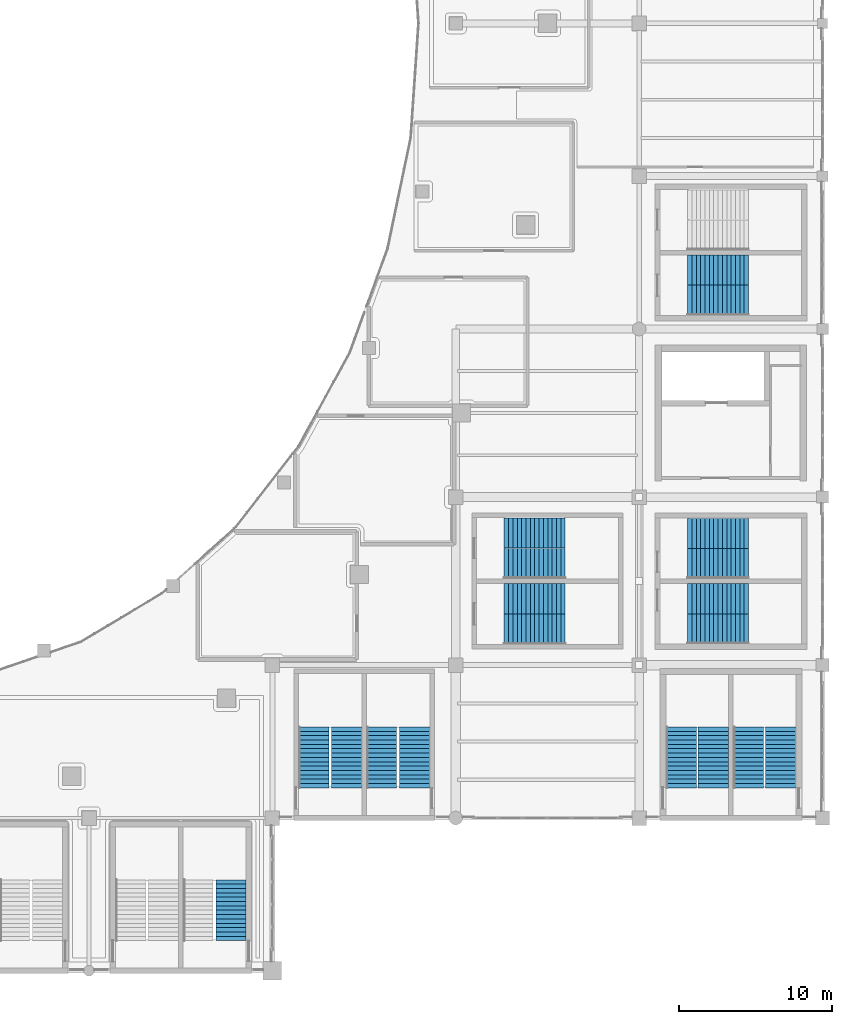
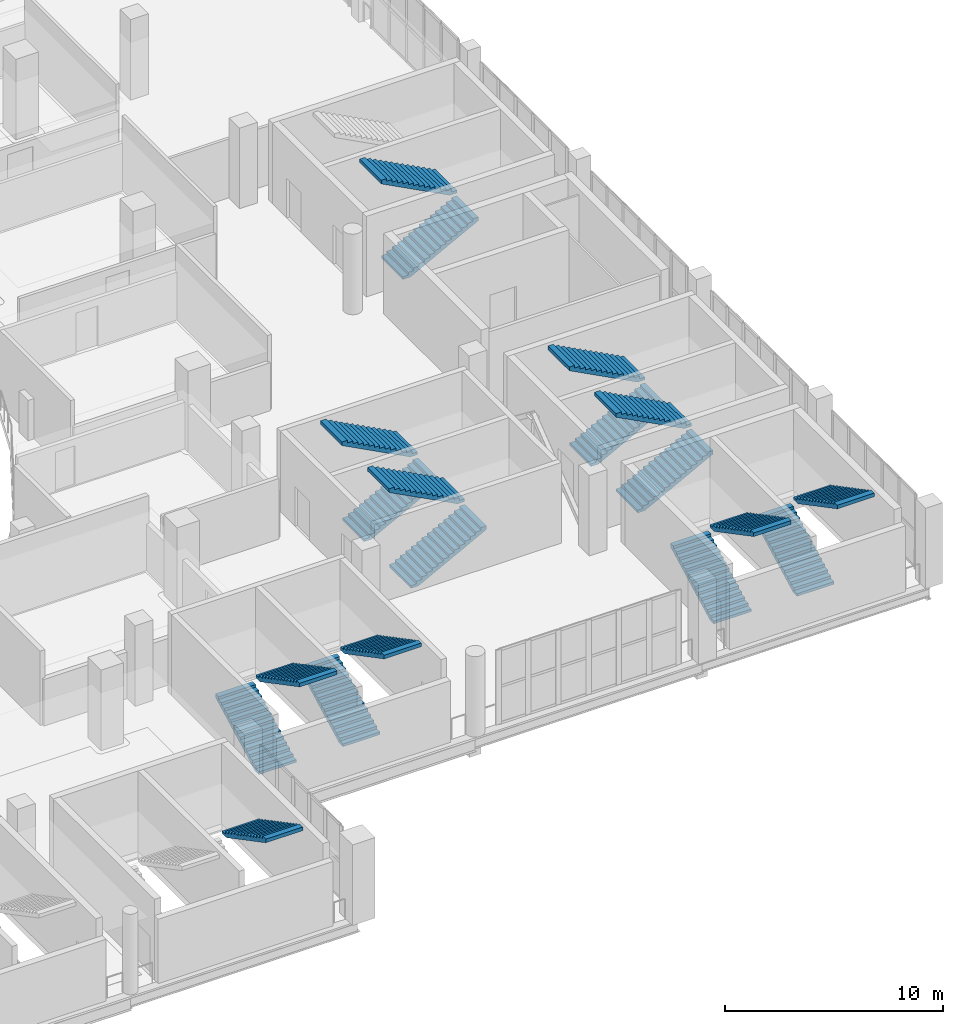
# One storey, part 71 of 90: 19 stair flights, 10 elements without a shape of their own.
"""IFC4 building model written with IfcOpenShell, lengths in metres."""

from ifc_helpers import new_model, si_unit, direction, frame, origin, place, context, subcontext, project, spatial, polyline, outline, extrude, material, layer, layer_set, type_object, element, aggregate, save


model = new_model("IFC4")

# Units and contexts
model_context = context("Model", 3, precision=1e-05, world=origin(), true_north=direction((0.0, 1.0)))
body_context = subcontext(model_context, "Body", "Model", "MODEL_VIEW")
ifc_project = project(units=[si_unit("LENGTHUNIT", "METRE"), si_unit("AREAUNIT", "SQUARE_METRE"), si_unit("VOLUMEUNIT", "CUBIC_METRE"), si_unit("PLANEANGLEUNIT", "RADIAN"), si_unit("MASSUNIT", "GRAM", prefix="KILO")], contexts=[model_context])

# Site, building, storey
site_placement = place(None, origin())
site = spatial("IfcSite", under=ifc_project, at=site_placement, CompositionType="ELEMENT")
building_placement = place(site_placement, origin())
building = spatial("IfcBuilding", under=site, at=building_placement, Name="Brinegate Civic Arena", CompositionType="ELEMENT")
storey_placement = place(building_placement, frame((0.0, 0.0, 14.699951171875)))
storey = spatial("IfcBuildingStorey", under=building, at=storey_placement, Name="L03", CompositionType="ELEMENT", Elevation=14.699951171875)

# Stair, stair flight
ifc_material = material(Name="Concrete C40/50", Category="concrete")
stair_type_1 = type_object("IfcStairType", Name="STAIR-EXIT-3700", PredefinedType="HALF_TURN_STAIR", material=ifc_material)
stair_1_placement = place(storey_placement, origin())
stair_1 = element("IfcStair", 1, at=stair_1_placement, inside=storey, type_object=stair_type_1, Name="Protected Exit Stair ST-04B (L03)", PredefinedType="HALF_TURN_STAIR")
ifc_layer_1 = layer(ifc_material, 0.179931640625, Name="Concrete C40/50")
ifc_layer_set_1 = layer_set([ifc_layer_1], Name="Concrete C40/50")
stair_flight_type_1 = type_object("IfcStairFlightType", Name="FLIGHT-EXIT-3700", PredefinedType="STRAIGHT", material=ifc_layer_set_1)
stair_flight_1_placement = place(storey_placement, frame((129.280029296875, 5.9599609375, 2.25), z_axis=(0.0, 0.0, 1.0), x_axis=(0.0, -1.0, 0.0)))
stair_flight_1 = element("IfcStairFlight", 2, at=stair_flight_1_placement, type_object=stair_flight_type_1, Name="ST-04B flight 2", NumberOfRisers=15, NumberOfTreads=14, PredefinedType="STRAIGHT", RiserHeight=0.15, TreadLength=0.285, context=body_context, shape_type="SweptSolid", body=[
    extrude(outline(polyline([(0.0, 0.0), (0.0, 0.14990234375), (0.284912109375, 0.14990234375), (0.284912109375, 0.300048828125), (0.570068359375, 0.300048828125), (0.570068359375, 0.449951171875), (0.85498046875, 0.449951171875), (0.85498046875, 0.60009765625), (1.139892578125, 0.60009765625), (1.139892578125, 0.75), (1.425048828125, 0.75), (1.425048828125, 0.89990234375), (1.7099609375, 0.89990234375), (1.7099609375, 1.050048828125), (1.9951171875, 1.050048828125), (1.9951171875, 1.199951171875), (2.280029296875, 1.199951171875), (2.280029296875, 1.35009765625), (2.56494140625, 1.35009765625), (2.56494140625, 1.5), (2.85009765625, 1.5), (2.85009765625, 1.64990234375), (3.135009765625, 1.64990234375), (3.135009765625, 1.800048828125), (3.419921875, 1.800048828125), (3.419921875, 1.949951171875), (3.705078125, 1.949951171875), (3.705078125, 2.10009765625), (3.989990234375, 2.10009765625), (3.989990234375, 2.25), (3.989990234375, 1.896728515625), (0.38623046875, 0.0), (0.0, 0.0)])), frame((0.0, 0.97998046875, 0.0), z_axis=(0.0, -1.0, 0.0), x_axis=(1.0, 0.0, 0.0)), (0.0, 0.0, 1.0), 1.9599609375),
])
aggregate(stair_1, [stair_flight_1])

# Stair, stair flights
stair_2_placement = place(storey_placement, origin())
stair_2 = element("IfcStair", 3, at=stair_2_placement, inside=storey, type_object=stair_type_1, Name="Protected Exit Stair ST-06B (L03)", PredefinedType="HALF_TURN_STAIR")
stair_flight_2_placement = place(storey_placement, frame((163.139892578125, 11.969970703125, 0.0), z_axis=(0.0, 0.0, 1.0), x_axis=(0.0, 1.0, 0.0)))
stair_flight_2 = element("IfcStairFlight", 4, at=stair_flight_2_placement, type_object=stair_flight_type_1, Name="ST-06B flight 1", NumberOfRisers=15, NumberOfTreads=14, PredefinedType="STRAIGHT", RiserHeight=0.15, TreadLength=0.285, context=body_context, shape_type="SweptSolid", body=[
    extrude(outline(polyline([(0.0, 0.0), (0.0, 0.14990234375), (0.284912109375, 0.14990234375), (0.284912109375, 0.300048828125), (0.570068359375, 0.300048828125), (0.570068359375, 0.449951171875), (0.85498046875, 0.449951171875), (0.85498046875, 0.60009765625), (1.139892578125, 0.60009765625), (1.139892578125, 0.75), (1.425048828125, 0.75), (1.425048828125, 0.89990234375), (1.7099609375, 0.89990234375), (1.7099609375, 1.050048828125), (1.9951171875, 1.050048828125), (1.9951171875, 1.199951171875), (2.280029296875, 1.199951171875), (2.280029296875, 1.35009765625), (2.56494140625, 1.35009765625), (2.56494140625, 1.5), (2.85009765625, 1.5), (2.85009765625, 1.64990234375), (3.135009765625, 1.64990234375), (3.135009765625, 1.800048828125), (3.419921875, 1.800048828125), (3.419921875, 1.949951171875), (3.705078125, 1.949951171875), (3.705078125, 2.10009765625), (3.989990234375, 2.10009765625), (3.989990234375, 2.25), (3.989990234375, 1.896728515625), (0.38623046875, 0.0), (0.0, 0.0)])), frame((0.0, 0.97998046875, 0.0), z_axis=(0.0, -1.0, 0.0), x_axis=(1.0, 0.0, 0.0)), (0.0, 0.0, 1.0), 1.9599609375),
])
stair_flight_3_placement = place(storey_placement, frame((165.260009765625, 15.9599609375, 2.25), z_axis=(0.0, 0.0, 1.0), x_axis=(0.0, -1.0, 0.0)))
stair_flight_3 = element("IfcStairFlight", 5, at=stair_flight_3_placement, type_object=stair_flight_type_1, Name="ST-06B flight 2", NumberOfRisers=15, NumberOfTreads=14, PredefinedType="STRAIGHT", RiserHeight=0.15, TreadLength=0.285, context=body_context, shape_type="SweptSolid", body=[
    extrude(outline(polyline([(0.0, 0.0), (0.0, 0.14990234375), (0.284912109375, 0.14990234375), (0.284912109375, 0.300048828125), (0.570068359375, 0.300048828125), (0.570068359375, 0.449951171875), (0.85498046875, 0.449951171875), (0.85498046875, 0.60009765625), (1.139892578125, 0.60009765625), (1.139892578125, 0.75), (1.425048828125, 0.75), (1.425048828125, 0.89990234375), (1.7099609375, 0.89990234375), (1.7099609375, 1.050048828125), (1.9951171875, 1.050048828125), (1.9951171875, 1.199951171875), (2.280029296875, 1.199951171875), (2.280029296875, 1.35009765625), (2.56494140625, 1.35009765625), (2.56494140625, 1.5), (2.85009765625, 1.5), (2.85009765625, 1.64990234375), (3.135009765625, 1.64990234375), (3.135009765625, 1.800048828125), (3.419921875, 1.800048828125), (3.419921875, 1.949951171875), (3.705078125, 1.949951171875), (3.705078125, 2.10009765625), (3.989990234375, 2.10009765625), (3.989990234375, 2.25), (3.989990234375, 1.896728515625), (0.38623046875, 0.0), (0.0, 0.0)])), frame((0.0, 0.97998046875, 0.0), z_axis=(0.0, -1.0, 0.0), x_axis=(1.0, 0.0, 0.0)), (0.0, 0.0, 1.0), 1.9599609375),
])
aggregate(stair_2, [stair_flight_2, stair_flight_3])

stair_3_placement = place(storey_placement, origin())
stair_3 = element("IfcStair", 6, at=stair_3_placement, inside=storey, type_object=stair_type_1, Name="Protected Exit Stair ST-14B (L03)", PredefinedType="HALF_TURN_STAIR")
stair_flight_4_placement = place(storey_placement, frame((139.139892578125, 11.969970703125, 0.0), z_axis=(0.0, 0.0, 1.0), x_axis=(0.0, 1.0, 0.0)))
stair_flight_4 = element("IfcStairFlight", 7, at=stair_flight_4_placement, type_object=stair_flight_type_1, Name="ST-14B flight 1", NumberOfRisers=15, NumberOfTreads=14, PredefinedType="STRAIGHT", RiserHeight=0.15, TreadLength=0.285, context=body_context, shape_type="SweptSolid", body=[
    extrude(outline(polyline([(0.0, 0.0), (0.0, 0.14990234375), (0.284912109375, 0.14990234375), (0.284912109375, 0.300048828125), (0.570068359375, 0.300048828125), (0.570068359375, 0.449951171875), (0.85498046875, 0.449951171875), (0.85498046875, 0.60009765625), (1.139892578125, 0.60009765625), (1.139892578125, 0.75), (1.425048828125, 0.75), (1.425048828125, 0.89990234375), (1.7099609375, 0.89990234375), (1.7099609375, 1.050048828125), (1.9951171875, 1.050048828125), (1.9951171875, 1.199951171875), (2.280029296875, 1.199951171875), (2.280029296875, 1.35009765625), (2.56494140625, 1.35009765625), (2.56494140625, 1.5), (2.85009765625, 1.5), (2.85009765625, 1.64990234375), (3.135009765625, 1.64990234375), (3.135009765625, 1.800048828125), (3.419921875, 1.800048828125), (3.419921875, 1.949951171875), (3.705078125, 1.949951171875), (3.705078125, 2.10009765625), (3.989990234375, 2.10009765625), (3.989990234375, 2.25), (3.989990234375, 1.896728515625), (0.38623046875, 0.0), (0.0, 0.0)])), frame((0.0, 0.97998046875, 0.0), z_axis=(0.0, -1.0, 0.0), x_axis=(1.0, 0.0, 0.0)), (0.0, 0.0, 1.0), 1.9599609375),
])
stair_flight_5_placement = place(storey_placement, frame((141.31005859375, 15.9599609375, 2.25), z_axis=(0.0, 0.0, 1.0), x_axis=(0.0, -1.0, 0.0)))
stair_flight_5 = element("IfcStairFlight", 8, at=stair_flight_5_placement, type_object=stair_flight_type_1, Name="ST-14B flight 2", NumberOfRisers=15, NumberOfTreads=14, PredefinedType="STRAIGHT", RiserHeight=0.15, TreadLength=0.285, context=body_context, shape_type="SweptSolid", body=[
    extrude(outline(polyline([(0.0, 0.0), (0.0, 0.14990234375), (0.284912109375, 0.14990234375), (0.284912109375, 0.300048828125), (0.570068359375, 0.300048828125), (0.570068359375, 0.449951171875), (0.85498046875, 0.449951171875), (0.85498046875, 0.60009765625), (1.139892578125, 0.60009765625), (1.139892578125, 0.75), (1.425048828125, 0.75), (1.425048828125, 0.89990234375), (1.7099609375, 0.89990234375), (1.7099609375, 1.050048828125), (1.9951171875, 1.050048828125), (1.9951171875, 1.199951171875), (2.280029296875, 1.199951171875), (2.280029296875, 1.35009765625), (2.56494140625, 1.35009765625), (2.56494140625, 1.5), (2.85009765625, 1.5), (2.85009765625, 1.64990234375), (3.135009765625, 1.64990234375), (3.135009765625, 1.800048828125), (3.419921875, 1.800048828125), (3.419921875, 1.949951171875), (3.705078125, 1.949951171875), (3.705078125, 2.10009765625), (3.989990234375, 2.10009765625), (3.989990234375, 2.25), (3.989990234375, 1.896728515625), (0.38623046875, 0.0), (0.0, 0.0)])), frame((0.0, 0.97998046875, 0.0), z_axis=(0.0, -1.0, 0.0), x_axis=(1.0, 0.0, 0.0)), (0.0, 0.0, 1.0), 1.9599609375),
])
aggregate(stair_3, [stair_flight_4, stair_flight_5])

stair_4_placement = place(storey_placement, origin())
stair_4 = element("IfcStair", 9, at=stair_4_placement, inside=storey, type_object=stair_type_1, Name="Protected Exit Stair ST-17B (L03)", PredefinedType="HALF_TURN_STAIR")
stair_flight_6_placement = place(storey_placement, frame((147.169921875, 26.639892578125, 0.0), z_axis=(0.0, 0.0, 1.0), x_axis=(1.0, 0.0, 0.0)))
stair_flight_6 = element("IfcStairFlight", 10, at=stair_flight_6_placement, type_object=stair_flight_type_1, Name="ST-17B flight 1", NumberOfRisers=15, NumberOfTreads=14, PredefinedType="STRAIGHT", RiserHeight=0.15, TreadLength=0.285, context=body_context, shape_type="SweptSolid", body=[
    extrude(outline(polyline([(0.0, 0.0), (0.0, 0.14990234375), (0.284912109375, 0.14990234375), (0.284912109375, 0.300048828125), (0.570068359375, 0.300048828125), (0.570068359375, 0.449951171875), (0.85498046875, 0.449951171875), (0.85498046875, 0.60009765625), (1.139892578125, 0.60009765625), (1.139892578125, 0.75), (1.425048828125, 0.75), (1.425048828125, 0.89990234375), (1.7099609375, 0.89990234375), (1.7099609375, 1.050048828125), (1.9951171875, 1.050048828125), (1.9951171875, 1.199951171875), (2.280029296875, 1.199951171875), (2.280029296875, 1.35009765625), (2.56494140625, 1.35009765625), (2.56494140625, 1.5), (2.85009765625, 1.5), (2.85009765625, 1.64990234375), (3.135009765625, 1.64990234375), (3.135009765625, 1.800048828125), (3.419921875, 1.800048828125), (3.419921875, 1.949951171875), (3.705078125, 1.949951171875), (3.705078125, 2.10009765625), (3.989990234375, 2.10009765625), (3.989990234375, 2.25), (3.989990234375, 1.896728515625), (0.38623046875, 0.0), (0.0, 0.0)])), frame((0.0, 0.97998046875, 0.0), z_axis=(0.0, -1.0, 0.0), x_axis=(1.0, 0.0, 0.0)), (0.0, 0.0, 1.0), 1.9599609375),
])
stair_flight_7_placement = place(storey_placement, frame((151.159912109375, 28.659912109375, 2.25), z_axis=(0.0, 0.0, 1.0), x_axis=(-1.0, 0.0, 0.0)))
stair_flight_7 = element("IfcStairFlight", 11, at=stair_flight_7_placement, type_object=stair_flight_type_1, Name="ST-17B flight 2", NumberOfRisers=15, NumberOfTreads=14, PredefinedType="STRAIGHT", RiserHeight=0.15, TreadLength=0.285, context=body_context, shape_type="SweptSolid", body=[
    extrude(outline(polyline([(0.0, 0.0), (0.0, 0.14990234375), (0.284912109375, 0.14990234375), (0.284912109375, 0.300048828125), (0.570068359375, 0.300048828125), (0.570068359375, 0.449951171875), (0.85498046875, 0.449951171875), (0.85498046875, 0.60009765625), (1.139892578125, 0.60009765625), (1.139892578125, 0.75), (1.425048828125, 0.75), (1.425048828125, 0.89990234375), (1.7099609375, 0.89990234375), (1.7099609375, 1.050048828125), (1.9951171875, 1.050048828125), (1.9951171875, 1.199951171875), (2.280029296875, 1.199951171875), (2.280029296875, 1.35009765625), (2.56494140625, 1.35009765625), (2.56494140625, 1.5), (2.85009765625, 1.5), (2.85009765625, 1.64990234375), (3.135009765625, 1.64990234375), (3.135009765625, 1.800048828125), (3.419921875, 1.800048828125), (3.419921875, 1.949951171875), (3.705078125, 1.949951171875), (3.705078125, 2.10009765625), (3.989990234375, 2.10009765625), (3.989990234375, 2.25), (3.989990234375, 1.896728515625), (0.38623046875, 0.0), (0.0, 0.0)])), frame((0.0, 0.97998046875, 0.0), z_axis=(0.0, -1.0, 0.0), x_axis=(1.0, 0.0, 0.0)), (0.0, 0.0, 1.0), 1.9599609375),
])
aggregate(stair_4, [stair_flight_6, stair_flight_7])

stair_5_placement = place(storey_placement, origin())
stair_5 = element("IfcStair", 12, at=stair_5_placement, inside=storey, type_object=stair_type_1, Name="Protected Exit Stair ST-19B (L03)", PredefinedType="HALF_TURN_STAIR")
stair_flight_8_placement = place(storey_placement, frame((159.169921875, 26.639892578125, 0.0), z_axis=(0.0, 0.0, 1.0), x_axis=(1.0, 0.0, 0.0)))
stair_flight_8 = element("IfcStairFlight", 13, at=stair_flight_8_placement, type_object=stair_flight_type_1, Name="ST-19B flight 1", NumberOfRisers=15, NumberOfTreads=14, PredefinedType="STRAIGHT", RiserHeight=0.15, TreadLength=0.285, context=body_context, shape_type="SweptSolid", body=[
    extrude(outline(polyline([(0.0, 0.0), (0.0, 0.14990234375), (0.284912109375, 0.14990234375), (0.284912109375, 0.300048828125), (0.570068359375, 0.300048828125), (0.570068359375, 0.449951171875), (0.85498046875, 0.449951171875), (0.85498046875, 0.60009765625), (1.139892578125, 0.60009765625), (1.139892578125, 0.75), (1.425048828125, 0.75), (1.425048828125, 0.89990234375), (1.7099609375, 0.89990234375), (1.7099609375, 1.050048828125), (1.9951171875, 1.050048828125), (1.9951171875, 1.199951171875), (2.280029296875, 1.199951171875), (2.280029296875, 1.35009765625), (2.56494140625, 1.35009765625), (2.56494140625, 1.5), (2.85009765625, 1.5), (2.85009765625, 1.64990234375), (3.135009765625, 1.64990234375), (3.135009765625, 1.800048828125), (3.419921875, 1.800048828125), (3.419921875, 1.949951171875), (3.705078125, 1.949951171875), (3.705078125, 2.10009765625), (3.989990234375, 2.10009765625), (3.989990234375, 2.25), (3.989990234375, 1.896728515625), (0.38623046875, 0.0), (0.0, 0.0)])), frame((0.0, 0.97998046875, 0.0), z_axis=(0.0, -1.0, 0.0), x_axis=(1.0, 0.0, 0.0)), (0.0, 0.0, 1.0), 1.9599609375),
])
stair_flight_9_placement = place(storey_placement, frame((163.159912109375, 28.6298828125, 2.25), z_axis=(0.0, 0.0, 1.0), x_axis=(-1.0, 0.0, 0.0)))
stair_flight_9 = element("IfcStairFlight", 14, at=stair_flight_9_placement, type_object=stair_flight_type_1, Name="ST-19B flight 2", NumberOfRisers=15, NumberOfTreads=14, PredefinedType="STRAIGHT", RiserHeight=0.15, TreadLength=0.285, context=body_context, shape_type="SweptSolid", body=[
    extrude(outline(polyline([(0.0, 0.0), (0.0, 0.14990234375), (0.284912109375, 0.14990234375), (0.284912109375, 0.300048828125), (0.570068359375, 0.300048828125), (0.570068359375, 0.449951171875), (0.85498046875, 0.449951171875), (0.85498046875, 0.60009765625), (1.139892578125, 0.60009765625), (1.139892578125, 0.75), (1.425048828125, 0.75), (1.425048828125, 0.89990234375), (1.7099609375, 0.89990234375), (1.7099609375, 1.050048828125), (1.9951171875, 1.050048828125), (1.9951171875, 1.199951171875), (2.280029296875, 1.199951171875), (2.280029296875, 1.35009765625), (2.56494140625, 1.35009765625), (2.56494140625, 1.5), (2.85009765625, 1.5), (2.85009765625, 1.64990234375), (3.135009765625, 1.64990234375), (3.135009765625, 1.800048828125), (3.419921875, 1.800048828125), (3.419921875, 1.949951171875), (3.705078125, 1.949951171875), (3.705078125, 2.10009765625), (3.989990234375, 2.10009765625), (3.989990234375, 2.25), (3.989990234375, 1.896728515625), (0.38623046875, 0.0), (0.0, 0.0)])), frame((0.0, 0.97998046875, 0.0), z_axis=(0.0, -1.0, 0.0), x_axis=(1.0, 0.0, 0.0)), (0.0, 0.0, 1.0), 1.9599609375),
])
aggregate(stair_5, [stair_flight_8, stair_flight_9])

stair_type_2 = type_object("IfcStairType", Name="STAIR-EXIT-3850", PredefinedType="HALF_TURN_STAIR", material=ifc_material)
stair_6_placement = place(storey_placement, origin())
stair_6 = element("IfcStair", 15, at=stair_6_placement, inside=storey, type_object=stair_type_2, Name="Protected Exit Stair ST-06A (L03)", PredefinedType="HALF_TURN_STAIR")
ifc_layer_2 = layer(ifc_material, 0.179931640625, Name="Concrete C40/50")
ifc_layer_set_2 = layer_set([ifc_layer_2], Name="Concrete C40/50")
stair_flight_type_2 = type_object("IfcStairFlightType", Name="FLIGHT-EXIT-3850", PredefinedType="STRAIGHT", material=ifc_layer_set_2)
stair_flight_10_placement = place(storey_placement, frame((158.75, 11.969970703125, 0.0), z_axis=(0.0, 0.0, 1.0), x_axis=(0.0, 1.0, 0.0)))
stair_flight_10 = element("IfcStairFlight", 16, at=stair_flight_10_placement, type_object=stair_flight_type_2, Name="ST-06A flight 1", NumberOfRisers=15, NumberOfTreads=14, PredefinedType="STRAIGHT", RiserHeight=0.15, TreadLength=0.285, context=body_context, shape_type="SweptSolid", body=[
    extrude(outline(polyline([(0.0, 0.0), (0.0, 0.14990234375), (0.284912109375, 0.14990234375), (0.284912109375, 0.300048828125), (0.570068359375, 0.300048828125), (0.570068359375, 0.449951171875), (0.85498046875, 0.449951171875), (0.85498046875, 0.60009765625), (1.139892578125, 0.60009765625), (1.139892578125, 0.75), (1.425048828125, 0.75), (1.425048828125, 0.89990234375), (1.7099609375, 0.89990234375), (1.7099609375, 1.050048828125), (1.9951171875, 1.050048828125), (1.9951171875, 1.199951171875), (2.280029296875, 1.199951171875), (2.280029296875, 1.35009765625), (2.56494140625, 1.35009765625), (2.56494140625, 1.5), (2.85009765625, 1.5), (2.85009765625, 1.64990234375), (3.135009765625, 1.64990234375), (3.135009765625, 1.800048828125), (3.419921875, 1.800048828125), (3.419921875, 1.949951171875), (3.705078125, 1.949951171875), (3.705078125, 2.10009765625), (3.989990234375, 2.10009765625), (3.989990234375, 2.25), (3.989990234375, 1.896728515625), (0.38623046875, 0.0), (0.0, 0.0)])), frame((0.0, 0.989990234375, 0.0), z_axis=(0.0, -1.0, 0.0), x_axis=(1.0, 0.0, 0.0)), (0.0, 0.0, 1.0), 1.97998046875),
])
stair_flight_11_placement = place(storey_placement, frame((160.85009765625, 15.9599609375, 2.25), z_axis=(0.0, 0.0, 1.0), x_axis=(0.0, -1.0, 0.0)))
stair_flight_11 = element("IfcStairFlight", 17, at=stair_flight_11_placement, type_object=stair_flight_type_2, Name="ST-06A flight 2", NumberOfRisers=15, NumberOfTreads=14, PredefinedType="STRAIGHT", RiserHeight=0.15, TreadLength=0.285, context=body_context, shape_type="SweptSolid", body=[
    extrude(outline(polyline([(0.0, 0.0), (0.0, 0.14990234375), (0.284912109375, 0.14990234375), (0.284912109375, 0.300048828125), (0.570068359375, 0.300048828125), (0.570068359375, 0.449951171875), (0.85498046875, 0.449951171875), (0.85498046875, 0.60009765625), (1.139892578125, 0.60009765625), (1.139892578125, 0.75), (1.425048828125, 0.75), (1.425048828125, 0.89990234375), (1.7099609375, 0.89990234375), (1.7099609375, 1.050048828125), (1.9951171875, 1.050048828125), (1.9951171875, 1.199951171875), (2.280029296875, 1.199951171875), (2.280029296875, 1.35009765625), (2.56494140625, 1.35009765625), (2.56494140625, 1.5), (2.85009765625, 1.5), (2.85009765625, 1.64990234375), (3.135009765625, 1.64990234375), (3.135009765625, 1.800048828125), (3.419921875, 1.800048828125), (3.419921875, 1.949951171875), (3.705078125, 1.949951171875), (3.705078125, 2.10009765625), (3.989990234375, 2.10009765625), (3.989990234375, 2.25), (3.989990234375, 1.896728515625), (0.38623046875, 0.0), (0.0, 0.0)])), frame((0.0, 0.989990234375, 0.0), z_axis=(0.0, -1.0, 0.0), x_axis=(1.0, 0.0, 0.0)), (0.0, 0.0, 1.0), 1.97998046875),
])
aggregate(stair_6, [stair_flight_10, stair_flight_11])

stair_7_placement = place(storey_placement, origin())
stair_7 = element("IfcStair", 18, at=stair_7_placement, inside=storey, type_object=stair_type_2, Name="Protected Exit Stair ST-10A (L03)", PredefinedType="HALF_TURN_STAIR")
stair_flight_12_placement = place(storey_placement, frame((159.169921875, 43.8779296875, 0.0), z_axis=(0.0, 0.0, 1.0), x_axis=(1.0, 0.0, 0.0)))
stair_flight_12 = element("IfcStairFlight", 19, at=stair_flight_12_placement, type_object=stair_flight_type_2, Name="ST-10A flight 1", NumberOfRisers=15, NumberOfTreads=14, PredefinedType="STRAIGHT", RiserHeight=0.15, TreadLength=0.285, context=body_context, shape_type="SweptSolid", body=[
    extrude(outline(polyline([(0.0, 0.0), (0.0, 0.14990234375), (0.284912109375, 0.14990234375), (0.284912109375, 0.300048828125), (0.570068359375, 0.300048828125), (0.570068359375, 0.449951171875), (0.85498046875, 0.449951171875), (0.85498046875, 0.60009765625), (1.139892578125, 0.60009765625), (1.139892578125, 0.75), (1.425048828125, 0.75), (1.425048828125, 0.89990234375), (1.7099609375, 0.89990234375), (1.7099609375, 1.050048828125), (1.9951171875, 1.050048828125), (1.9951171875, 1.199951171875), (2.280029296875, 1.199951171875), (2.280029296875, 1.35009765625), (2.56494140625, 1.35009765625), (2.56494140625, 1.5), (2.85009765625, 1.5), (2.85009765625, 1.64990234375), (3.135009765625, 1.64990234375), (3.135009765625, 1.800048828125), (3.419921875, 1.800048828125), (3.419921875, 1.949951171875), (3.705078125, 1.949951171875), (3.705078125, 2.10009765625), (3.989990234375, 2.10009765625), (3.989990234375, 2.25), (3.989990234375, 1.896728515625), (0.38623046875, 0.0), (0.0, 0.0)])), frame((0.0, 0.987548828125, 0.0), z_axis=(0.0, -1.0, 0.0), x_axis=(1.0, 0.0, 0.0)), (0.0, 0.0, 1.0), 1.97509765625),
])
stair_flight_13_placement = place(storey_placement, frame((163.159912109375, 45.85302734375, 2.25), z_axis=(0.0, 0.0, 1.0), x_axis=(-1.0, 0.0, 0.0)))
stair_flight_13 = element("IfcStairFlight", 20, at=stair_flight_13_placement, type_object=stair_flight_type_2, Name="ST-10A flight 2", NumberOfRisers=15, NumberOfTreads=14, PredefinedType="STRAIGHT", RiserHeight=0.15, TreadLength=0.285, context=body_context, shape_type="SweptSolid", body=[
    extrude(outline(polyline([(0.0, 0.0), (0.0, 0.14990234375), (0.284912109375, 0.14990234375), (0.284912109375, 0.300048828125), (0.570068359375, 0.300048828125), (0.570068359375, 0.449951171875), (0.85498046875, 0.449951171875), (0.85498046875, 0.60009765625), (1.139892578125, 0.60009765625), (1.139892578125, 0.75), (1.425048828125, 0.75), (1.425048828125, 0.89990234375), (1.7099609375, 0.89990234375), (1.7099609375, 1.050048828125), (1.9951171875, 1.050048828125), (1.9951171875, 1.199951171875), (2.280029296875, 1.199951171875), (2.280029296875, 1.35009765625), (2.56494140625, 1.35009765625), (2.56494140625, 1.5), (2.85009765625, 1.5), (2.85009765625, 1.64990234375), (3.135009765625, 1.64990234375), (3.135009765625, 1.800048828125), (3.419921875, 1.800048828125), (3.419921875, 1.949951171875), (3.705078125, 1.949951171875), (3.705078125, 2.10009765625), (3.989990234375, 2.10009765625), (3.989990234375, 2.25), (3.989990234375, 1.896728515625), (0.38623046875, 0.0), (0.0, 0.0)])), frame((0.0, 0.987548828125, 0.0), z_axis=(0.0, -1.0, 0.0), x_axis=(1.0, 0.0, 0.0)), (0.0, 0.0, 1.0), 1.97509765625),
])
aggregate(stair_7, [stair_flight_12, stair_flight_13])

stair_8_placement = place(storey_placement, origin())
stair_8 = element("IfcStair", 21, at=stair_8_placement, inside=storey, type_object=stair_type_2, Name="Protected Exit Stair ST-14A (L03)", PredefinedType="HALF_TURN_STAIR")
stair_flight_14_placement = place(storey_placement, frame((134.699951171875, 11.969970703125, 0.0), z_axis=(0.0, 0.0, 1.0), x_axis=(0.0, 1.0, 0.0)))
stair_flight_14 = element("IfcStairFlight", 22, at=stair_flight_14_placement, type_object=stair_flight_type_2, Name="ST-14A flight 1", NumberOfRisers=15, NumberOfTreads=14, PredefinedType="STRAIGHT", RiserHeight=0.15, TreadLength=0.285, context=body_context, shape_type="SweptSolid", body=[
    extrude(outline(polyline([(0.0, 0.0), (0.0, 0.14990234375), (0.284912109375, 0.14990234375), (0.284912109375, 0.300048828125), (0.570068359375, 0.300048828125), (0.570068359375, 0.449951171875), (0.85498046875, 0.449951171875), (0.85498046875, 0.60009765625), (1.139892578125, 0.60009765625), (1.139892578125, 0.75), (1.425048828125, 0.75), (1.425048828125, 0.89990234375), (1.7099609375, 0.89990234375), (1.7099609375, 1.050048828125), (1.9951171875, 1.050048828125), (1.9951171875, 1.199951171875), (2.280029296875, 1.199951171875), (2.280029296875, 1.35009765625), (2.56494140625, 1.35009765625), (2.56494140625, 1.5), (2.85009765625, 1.5), (2.85009765625, 1.64990234375), (3.135009765625, 1.64990234375), (3.135009765625, 1.800048828125), (3.419921875, 1.800048828125), (3.419921875, 1.949951171875), (3.705078125, 1.949951171875), (3.705078125, 2.10009765625), (3.989990234375, 2.10009765625), (3.989990234375, 2.25), (3.989990234375, 1.896728515625), (0.38623046875, 0.0), (0.0, 0.0)])), frame((0.0, 0.989990234375, 0.0), z_axis=(0.0, -1.0, 0.0), x_axis=(1.0, 0.0, 0.0)), (0.0, 0.0, 1.0), 1.97998046875),
])
stair_flight_15_placement = place(storey_placement, frame((136.85009765625, 15.9599609375, 2.25), z_axis=(0.0, 0.0, 1.0), x_axis=(0.0, -1.0, 0.0)))
stair_flight_15 = element("IfcStairFlight", 23, at=stair_flight_15_placement, type_object=stair_flight_type_2, Name="ST-14A flight 2", NumberOfRisers=15, NumberOfTreads=14, PredefinedType="STRAIGHT", RiserHeight=0.15, TreadLength=0.285, context=body_context, shape_type="SweptSolid", body=[
    extrude(outline(polyline([(0.0, 0.0), (0.0, 0.14990234375), (0.284912109375, 0.14990234375), (0.284912109375, 0.300048828125), (0.570068359375, 0.300048828125), (0.570068359375, 0.449951171875), (0.85498046875, 0.449951171875), (0.85498046875, 0.60009765625), (1.139892578125, 0.60009765625), (1.139892578125, 0.75), (1.425048828125, 0.75), (1.425048828125, 0.89990234375), (1.7099609375, 0.89990234375), (1.7099609375, 1.050048828125), (1.9951171875, 1.050048828125), (1.9951171875, 1.199951171875), (2.280029296875, 1.199951171875), (2.280029296875, 1.35009765625), (2.56494140625, 1.35009765625), (2.56494140625, 1.5), (2.85009765625, 1.5), (2.85009765625, 1.64990234375), (3.135009765625, 1.64990234375), (3.135009765625, 1.800048828125), (3.419921875, 1.800048828125), (3.419921875, 1.949951171875), (3.705078125, 1.949951171875), (3.705078125, 2.10009765625), (3.989990234375, 2.10009765625), (3.989990234375, 2.25), (3.989990234375, 1.896728515625), (0.38623046875, 0.0), (0.0, 0.0)])), frame((0.0, 0.989990234375, 0.0), z_axis=(0.0, -1.0, 0.0), x_axis=(1.0, 0.0, 0.0)), (0.0, 0.0, 1.0), 1.97998046875),
])
aggregate(stair_8, [stair_flight_14, stair_flight_15])

stair_9_placement = place(storey_placement, origin())
stair_9 = element("IfcStair", 24, at=stair_9_placement, inside=storey, type_object=stair_type_2, Name="Protected Exit Stair ST-17A (L03)", PredefinedType="HALF_TURN_STAIR")
stair_flight_16_placement = place(storey_placement, frame((147.169921875, 22.35009765625, 0.0), z_axis=(0.0, 0.0, 1.0), x_axis=(1.0, 0.0, 0.0)))
stair_flight_16 = element("IfcStairFlight", 25, at=stair_flight_16_placement, type_object=stair_flight_type_2, Name="ST-17A flight 1", NumberOfRisers=15, NumberOfTreads=14, PredefinedType="STRAIGHT", RiserHeight=0.15, TreadLength=0.285, context=body_context, shape_type="SweptSolid", body=[
    extrude(outline(polyline([(0.0, 0.0), (0.0, 0.14990234375), (0.284912109375, 0.14990234375), (0.284912109375, 0.300048828125), (0.570068359375, 0.300048828125), (0.570068359375, 0.449951171875), (0.85498046875, 0.449951171875), (0.85498046875, 0.60009765625), (1.139892578125, 0.60009765625), (1.139892578125, 0.75), (1.425048828125, 0.75), (1.425048828125, 0.89990234375), (1.7099609375, 0.89990234375), (1.7099609375, 1.050048828125), (1.9951171875, 1.050048828125), (1.9951171875, 1.199951171875), (2.280029296875, 1.199951171875), (2.280029296875, 1.35009765625), (2.56494140625, 1.35009765625), (2.56494140625, 1.5), (2.85009765625, 1.5), (2.85009765625, 1.64990234375), (3.135009765625, 1.64990234375), (3.135009765625, 1.800048828125), (3.419921875, 1.800048828125), (3.419921875, 1.949951171875), (3.705078125, 1.949951171875), (3.705078125, 2.10009765625), (3.989990234375, 2.10009765625), (3.989990234375, 2.25), (3.989990234375, 1.896728515625), (0.38623046875, 0.0), (0.0, 0.0)])), frame((0.0, 0.989990234375, 0.0), z_axis=(0.0, -1.0, 0.0), x_axis=(1.0, 0.0, 0.0)), (0.0, 0.0, 1.0), 1.97998046875),
])
stair_flight_17_placement = place(storey_placement, frame((151.159912109375, 24.35009765625, 2.25), z_axis=(0.0, 0.0, 1.0), x_axis=(-1.0, 0.0, 0.0)))
stair_flight_17 = element("IfcStairFlight", 26, at=stair_flight_17_placement, type_object=stair_flight_type_2, Name="ST-17A flight 2", NumberOfRisers=15, NumberOfTreads=14, PredefinedType="STRAIGHT", RiserHeight=0.15, TreadLength=0.285, context=body_context, shape_type="SweptSolid", body=[
    extrude(outline(polyline([(0.0, 0.0), (0.0, 0.14990234375), (0.284912109375, 0.14990234375), (0.284912109375, 0.300048828125), (0.570068359375, 0.300048828125), (0.570068359375, 0.449951171875), (0.85498046875, 0.449951171875), (0.85498046875, 0.60009765625), (1.139892578125, 0.60009765625), (1.139892578125, 0.75), (1.425048828125, 0.75), (1.425048828125, 0.89990234375), (1.7099609375, 0.89990234375), (1.7099609375, 1.050048828125), (1.9951171875, 1.050048828125), (1.9951171875, 1.199951171875), (2.280029296875, 1.199951171875), (2.280029296875, 1.35009765625), (2.56494140625, 1.35009765625), (2.56494140625, 1.5), (2.85009765625, 1.5), (2.85009765625, 1.64990234375), (3.135009765625, 1.64990234375), (3.135009765625, 1.800048828125), (3.419921875, 1.800048828125), (3.419921875, 1.949951171875), (3.705078125, 1.949951171875), (3.705078125, 2.10009765625), (3.989990234375, 2.10009765625), (3.989990234375, 2.25), (3.989990234375, 1.896728515625), (0.38623046875, 0.0), (0.0, 0.0)])), frame((0.0, 0.989990234375, 0.0), z_axis=(0.0, -1.0, 0.0), x_axis=(1.0, 0.0, 0.0)), (0.0, 0.0, 1.0), 1.97998046875),
])
aggregate(stair_9, [stair_flight_16, stair_flight_17])

stair_10_placement = place(storey_placement, origin())
stair_10 = element("IfcStair", 27, at=stair_10_placement, inside=storey, type_object=stair_type_2, Name="Protected Exit Stair ST-19A (L03)", PredefinedType="HALF_TURN_STAIR")
stair_flight_18_placement = place(storey_placement, frame((159.169921875, 22.3779296875, 0.0), z_axis=(0.0, 0.0, 1.0), x_axis=(1.0, 0.0, 0.0)))
stair_flight_18 = element("IfcStairFlight", 28, at=stair_flight_18_placement, type_object=stair_flight_type_2, Name="ST-19A flight 1", NumberOfRisers=15, NumberOfTreads=14, PredefinedType="STRAIGHT", RiserHeight=0.15, TreadLength=0.285, context=body_context, shape_type="SweptSolid", body=[
    extrude(outline(polyline([(0.0, 0.0), (0.0, 0.14990234375), (0.284912109375, 0.14990234375), (0.284912109375, 0.300048828125), (0.570068359375, 0.300048828125), (0.570068359375, 0.449951171875), (0.85498046875, 0.449951171875), (0.85498046875, 0.60009765625), (1.139892578125, 0.60009765625), (1.139892578125, 0.75), (1.425048828125, 0.75), (1.425048828125, 0.89990234375), (1.7099609375, 0.89990234375), (1.7099609375, 1.050048828125), (1.9951171875, 1.050048828125), (1.9951171875, 1.199951171875), (2.280029296875, 1.199951171875), (2.280029296875, 1.35009765625), (2.56494140625, 1.35009765625), (2.56494140625, 1.5), (2.85009765625, 1.5), (2.85009765625, 1.64990234375), (3.135009765625, 1.64990234375), (3.135009765625, 1.800048828125), (3.419921875, 1.800048828125), (3.419921875, 1.949951171875), (3.705078125, 1.949951171875), (3.705078125, 2.10009765625), (3.989990234375, 2.10009765625), (3.989990234375, 2.25), (3.989990234375, 1.896728515625), (0.38623046875, 0.0), (0.0, 0.0)])), frame((0.0, 0.987548828125, 0.0), z_axis=(0.0, -1.0, 0.0), x_axis=(1.0, 0.0, 0.0)), (0.0, 0.0, 1.0), 1.97509765625),
])
stair_flight_19_placement = place(storey_placement, frame((163.159912109375, 24.35302734375, 2.25), z_axis=(0.0, 0.0, 1.0), x_axis=(-1.0, 0.0, 0.0)))
stair_flight_19 = element("IfcStairFlight", 29, at=stair_flight_19_placement, type_object=stair_flight_type_2, Name="ST-19A flight 2", NumberOfRisers=15, NumberOfTreads=14, PredefinedType="STRAIGHT", RiserHeight=0.15, TreadLength=0.285, context=body_context, shape_type="SweptSolid", body=[
    extrude(outline(polyline([(0.0, 0.0), (0.0, 0.14990234375), (0.284912109375, 0.14990234375), (0.284912109375, 0.300048828125), (0.570068359375, 0.300048828125), (0.570068359375, 0.449951171875), (0.85498046875, 0.449951171875), (0.85498046875, 0.60009765625), (1.139892578125, 0.60009765625), (1.139892578125, 0.75), (1.425048828125, 0.75), (1.425048828125, 0.89990234375), (1.7099609375, 0.89990234375), (1.7099609375, 1.050048828125), (1.9951171875, 1.050048828125), (1.9951171875, 1.199951171875), (2.280029296875, 1.199951171875), (2.280029296875, 1.35009765625), (2.56494140625, 1.35009765625), (2.56494140625, 1.5), (2.85009765625, 1.5), (2.85009765625, 1.64990234375), (3.135009765625, 1.64990234375), (3.135009765625, 1.800048828125), (3.419921875, 1.800048828125), (3.419921875, 1.949951171875), (3.705078125, 1.949951171875), (3.705078125, 2.10009765625), (3.989990234375, 2.10009765625), (3.989990234375, 2.25), (3.989990234375, 1.896728515625), (0.38623046875, 0.0), (0.0, 0.0)])), frame((0.0, 0.987548828125, 0.0), z_axis=(0.0, -1.0, 0.0), x_axis=(1.0, 0.0, 0.0)), (0.0, 0.0, 1.0), 1.97509765625),
])
aggregate(stair_10, [stair_flight_18, stair_flight_19])

save(model, "model.ifc")
